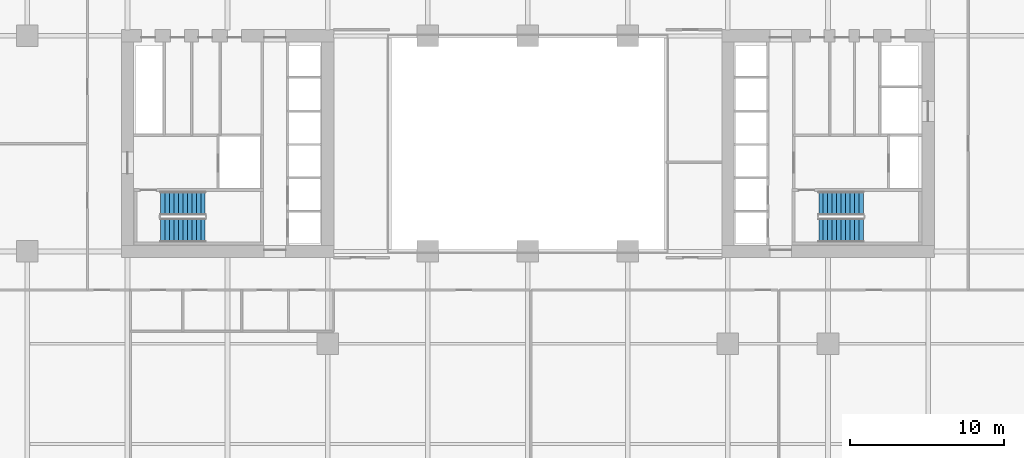
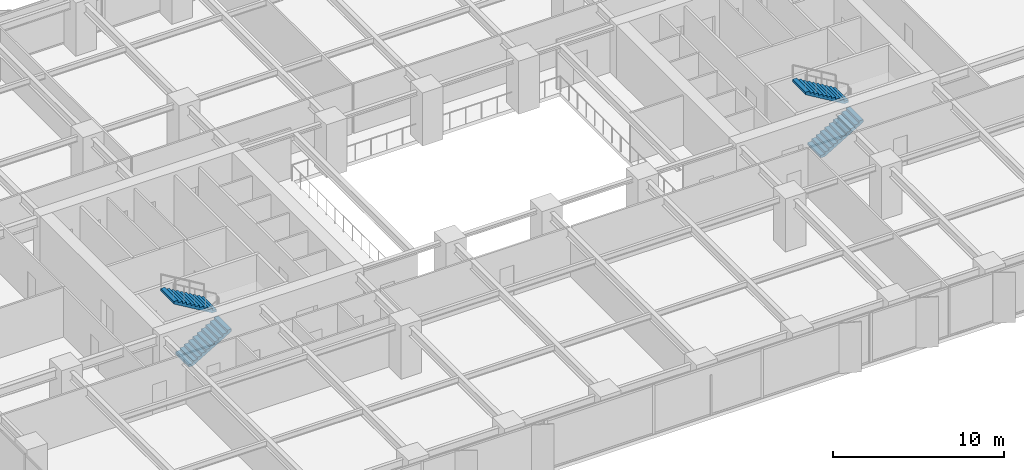
# One storey, part 16 of 20: 4 stair flights, 2 elements without a shape of their own.
"""IFC4 building model written with IfcOpenShell, lengths in metres."""

from ifc_helpers import new_model, si_unit, direction, frame, origin, place, context, subcontext, project, spatial, polyline, outline, extrude, material, type_object, element, aggregate, save


model = new_model("IFC4")

# Units and contexts
model_context = context("Model", 3, precision=1e-05, world=origin(), true_north=direction((0.0, 1.0)))
body_context = subcontext(model_context, "Body", "Model", "MODEL_VIEW")
ifc_project = project(units=[si_unit("LENGTHUNIT", "METRE"), si_unit("AREAUNIT", "SQUARE_METRE"), si_unit("VOLUMEUNIT", "CUBIC_METRE"), si_unit("PLANEANGLEUNIT", "RADIAN"), si_unit("MASSUNIT", "GRAM", prefix="KILO")], contexts=[model_context])

# Site, building, storey
site_placement = place(None, origin())
site = spatial("IfcSite", under=ifc_project, at=site_placement, CompositionType="ELEMENT")
building_placement = place(site_placement, origin())
building = spatial("IfcBuilding", under=site, at=building_placement, Name="Putna Gate Headquarters", CompositionType="ELEMENT")
storey_placement = place(building_placement, frame((0.0, 0.0, 46.800048828125)))
storey = spatial("IfcBuildingStorey", under=building, at=storey_placement, Name="L10", CompositionType="ELEMENT", Elevation=46.800048828125)

# Stair, stair flights
ifc_material = material(Name="Concrete C40/50", Category="concrete")
stair_type_1 = type_object("IfcStairType", Name="STAIR-ST1", PredefinedType="HALF_TURN_STAIR", material=ifc_material)
stair_1_placement = place(storey_placement, origin())
stair_1 = element("IfcStair", 1, at=stair_1_placement, inside=storey, type_object=stair_type_1, Name="L10 West Core Exit Stair ST1", PredefinedType="HALF_TURN_STAIR")
stair_flight_type_1 = type_object("IfcStairFlightType", Name="FLIGHT-ST1", PredefinedType="STRAIGHT", material=ifc_material)
stair_flight_1_placement = place(storey_placement, frame((15.14990234375, 20.375, 0.0), z_axis=(0.0, 0.0, 1.0), x_axis=(1.0, 0.0, 0.0)))
stair_flight_1 = element("IfcStairFlight", 2, at=stair_flight_1_placement, type_object=stair_flight_type_1, Name="ST1 flight 1", NumberOfRisers=11, NumberOfTreads=10, PredefinedType="STRAIGHT", RiserHeight=0.172727273, TreadLength=0.29, context=body_context, shape_type="SweptSolid", body=[
    extrude(outline(polyline([(0.0, 0.0), (0.0, 0.172607421875), (0.2900390625, 0.172607421875), (0.2900390625, 0.345458984375), (0.580078125, 0.345458984375), (0.580078125, 0.51806640625), (0.8701171875, 0.51806640625), (0.8701171875, 0.69091796875), (1.159912109375, 0.69091796875), (1.159912109375, 0.863525390625), (1.449951171875, 0.863525390625), (1.449951171875, 1.036376953125), (1.739990234375, 1.036376953125), (1.739990234375, 1.208984375), (2.030029296875, 1.208984375), (2.030029296875, 1.3818359375), (2.320068359375, 1.3818359375), (2.320068359375, 1.554443359375), (2.610107421875, 1.554443359375), (2.610107421875, 1.727294921875), (2.89990234375, 1.727294921875), (2.89990234375, 1.89990234375), (2.89990234375, 1.552734375), (0.29296875, 0.0), (0.0, 0.0)])), frame((0.0, 0.77490234375, 0.0), z_axis=(0.0, -1.0, 0.0), x_axis=(1.0, 0.0, 0.0)), (0.0, 0.0, 1.0), 1.550048828125),
])
stair_flight_2_placement = place(storey_placement, frame((18.050048828125, 22.125, 1.89990234375), z_axis=(0.0, 0.0, 1.0), x_axis=(-1.0, 0.0, 0.0)))
stair_flight_2 = element("IfcStairFlight", 3, at=stair_flight_2_placement, type_object=stair_flight_type_1, Name="ST1 flight 2", NumberOfRisers=11, NumberOfTreads=10, PredefinedType="STRAIGHT", RiserHeight=0.172727273, TreadLength=0.29, context=body_context, shape_type="SweptSolid", body=[
    extrude(outline(polyline([(0.0, 0.0), (0.0, 0.172607421875), (0.2900390625, 0.172607421875), (0.2900390625, 0.345458984375), (0.580078125, 0.345458984375), (0.580078125, 0.51806640625), (0.8701171875, 0.51806640625), (0.8701171875, 0.69091796875), (1.159912109375, 0.69091796875), (1.159912109375, 0.863525390625), (1.449951171875, 0.863525390625), (1.449951171875, 1.036376953125), (1.739990234375, 1.036376953125), (1.739990234375, 1.208984375), (2.030029296875, 1.208984375), (2.030029296875, 1.3818359375), (2.320068359375, 1.3818359375), (2.320068359375, 1.554443359375), (2.610107421875, 1.554443359375), (2.610107421875, 1.727294921875), (2.89990234375, 1.727294921875), (2.89990234375, 1.89990234375), (2.89990234375, 1.552734375), (0.29296875, 0.0), (0.0, 0.0)])), frame((0.0, 0.77490234375, 0.0), z_axis=(0.0, -1.0, 0.0), x_axis=(1.0, 0.0, 0.0)), (0.0, 0.0, 1.0), 1.550048828125),
])
aggregate(stair_1, [stair_flight_1, stair_flight_2])

stair_type_2 = type_object("IfcStairType", Name="STAIR-ST2", PredefinedType="HALF_TURN_STAIR", material=ifc_material)
stair_2_placement = place(storey_placement, origin())
stair_2 = element("IfcStair", 4, at=stair_2_placement, inside=storey, type_object=stair_type_2, Name="L10 East Core Exit Stair ST2", PredefinedType="HALF_TURN_STAIR")
stair_flight_type_2 = type_object("IfcStairFlightType", Name="FLIGHT-ST2", PredefinedType="STRAIGHT", material=ifc_material)
stair_flight_3_placement = place(storey_placement, frame((57.89990234375, 20.375, 0.0), z_axis=(0.0, 0.0, 1.0), x_axis=(1.0, 0.0, 0.0)))
stair_flight_3 = element("IfcStairFlight", 5, at=stair_flight_3_placement, type_object=stair_flight_type_2, Name="ST2 flight 1", NumberOfRisers=11, NumberOfTreads=10, PredefinedType="STRAIGHT", RiserHeight=0.172727273, TreadLength=0.29, context=body_context, shape_type="SweptSolid", body=[
    extrude(outline(polyline([(0.0, 0.0), (0.0, 0.172607421875), (0.2900390625, 0.172607421875), (0.2900390625, 0.345458984375), (0.580078125, 0.345458984375), (0.580078125, 0.51806640625), (0.8701171875, 0.51806640625), (0.8701171875, 0.69091796875), (1.159912109375, 0.69091796875), (1.159912109375, 0.863525390625), (1.449951171875, 0.863525390625), (1.449951171875, 1.036376953125), (1.739990234375, 1.036376953125), (1.739990234375, 1.208984375), (2.030029296875, 1.208984375), (2.030029296875, 1.3818359375), (2.320068359375, 1.3818359375), (2.320068359375, 1.554443359375), (2.610107421875, 1.554443359375), (2.610107421875, 1.727294921875), (2.89990234375, 1.727294921875), (2.89990234375, 1.89990234375), (2.89990234375, 1.552734375), (0.29296875, 0.0), (0.0, 0.0)])), frame((0.0, 0.77490234375, 0.0), z_axis=(0.0, -1.0, 0.0), x_axis=(1.0, 0.0, 0.0)), (0.0, 0.0, 1.0), 1.550048828125),
])
stair_flight_4_placement = place(storey_placement, frame((60.800048828125, 22.125, 1.89990234375), z_axis=(0.0, 0.0, 1.0), x_axis=(-1.0, 0.0, 0.0)))
stair_flight_4 = element("IfcStairFlight", 6, at=stair_flight_4_placement, type_object=stair_flight_type_2, Name="ST2 flight 2", NumberOfRisers=11, NumberOfTreads=10, PredefinedType="STRAIGHT", RiserHeight=0.172727273, TreadLength=0.29, context=body_context, shape_type="SweptSolid", body=[
    extrude(outline(polyline([(0.0, 0.0), (0.0, 0.172607421875), (0.2900390625, 0.172607421875), (0.2900390625, 0.345458984375), (0.580078125, 0.345458984375), (0.580078125, 0.51806640625), (0.8701171875, 0.51806640625), (0.8701171875, 0.69091796875), (1.159912109375, 0.69091796875), (1.159912109375, 0.863525390625), (1.449951171875, 0.863525390625), (1.449951171875, 1.036376953125), (1.739990234375, 1.036376953125), (1.739990234375, 1.208984375), (2.030029296875, 1.208984375), (2.030029296875, 1.3818359375), (2.320068359375, 1.3818359375), (2.320068359375, 1.554443359375), (2.610107421875, 1.554443359375), (2.610107421875, 1.727294921875), (2.89990234375, 1.727294921875), (2.89990234375, 1.89990234375), (2.89990234375, 1.552734375), (0.29296875, 0.0), (0.0, 0.0)])), frame((0.0, 0.77490234375, 0.0), z_axis=(0.0, -1.0, 0.0), x_axis=(1.0, 0.0, 0.0)), (0.0, 0.0, 1.0), 1.550048828125),
])
aggregate(stair_2, [stair_flight_3, stair_flight_4])

save(model, "model.ifc")
